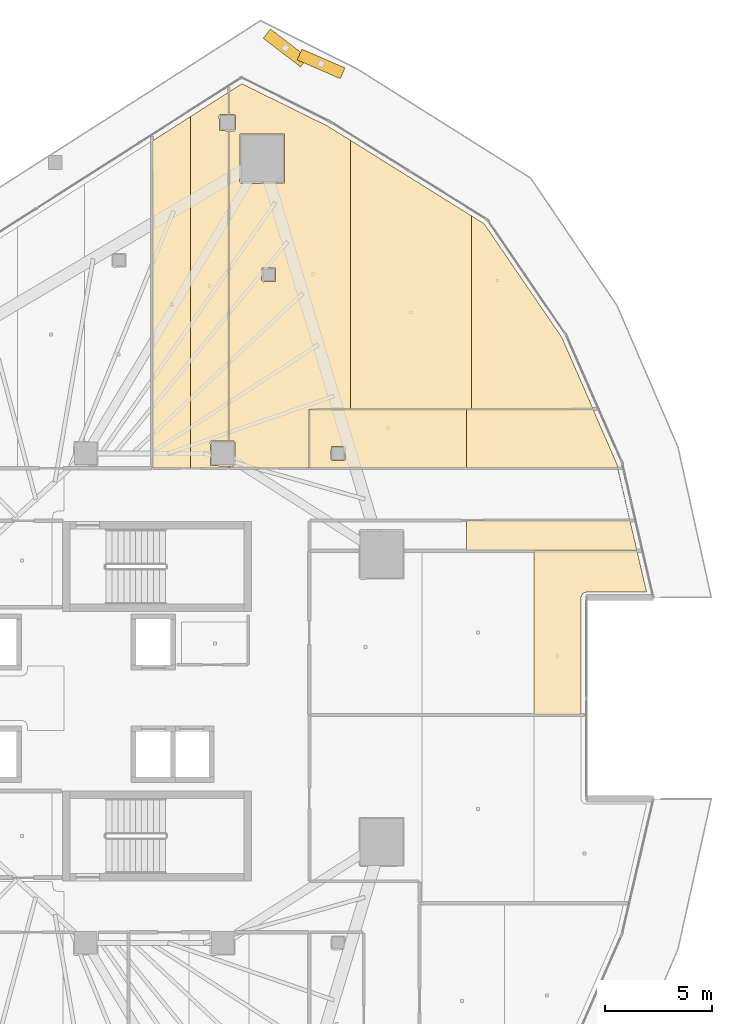
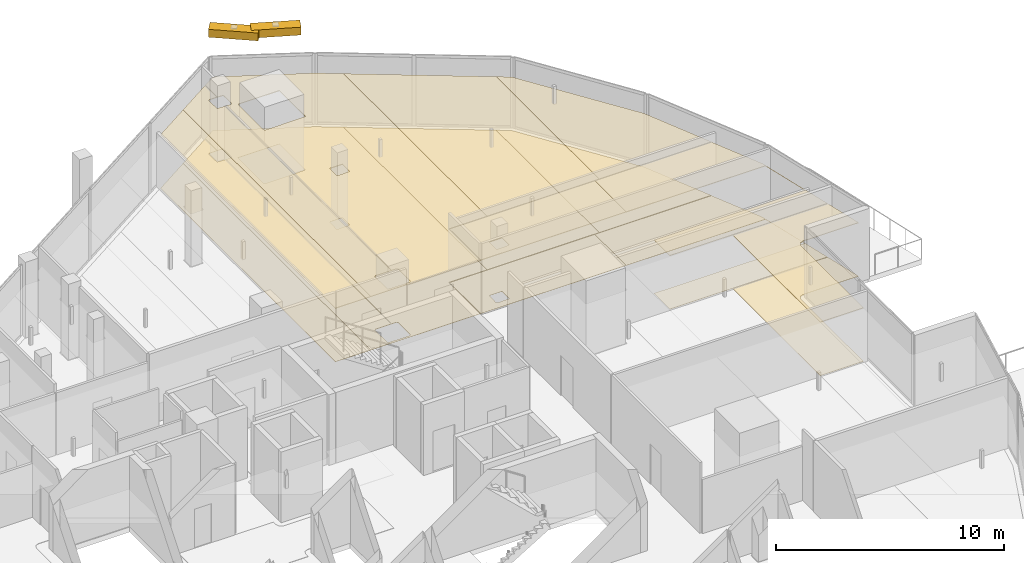
# One storey, part 35 of 35: 16 coverings, 2 shading devices.
"""IFC4 building model written with IfcOpenShell, lengths in metres."""

import ifcopenshell
import ifcopenshell.guid

model = None  # the IFC model being written
_history = None  # IfcOwnerHistory: only IFC2X3 demands one
_inside = {}  # id of a spatial element -> (the spatial element, [elements in it])
_under = {}  # id of a project, library or spatial element -> (it, [spatial elements below it])
_declared = {}  # id of a project -> (the project, [libraries it declares])
_typed = {}  # id of a type object -> (the type object, [elements of that type])
_made_of = {}  # id of a material, layer set ... -> (it, [elements and type objects made of it])


def new_model(schema):
    """Start an empty IFC model of exactly this schema.

    Asked for "IFC4X3", IfcOpenShell would pick the latest addendum, in which some entities
    have other attributes; the version numbers below select the first issue.
    IFC2X3 requires an IfcOwnerHistory on every rooted entity: one is made here for all.
    """
    global model, _history
    if schema == "IFC4X3":
        model = ifcopenshell.file(schema_version=(4, 3, 0, 0))
    else:
        model = ifcopenshell.file(schema=schema)
    _inside.clear()
    _under.clear()
    _declared.clear()
    _typed.clear()
    _made_of.clear()
    _history = None
    if model.schema == "IFC2X3":
        org = make("IfcOrganization", Name="unknown")
        user = make(
            "IfcPersonAndOrganization",
            ThePerson=make("IfcPerson", FamilyName="unknown"),
            TheOrganization=org,
        )
        app = make(
            "IfcApplication",
            ApplicationDeveloper=org,
            Version="unknown",
            ApplicationFullName="unknown",
            ApplicationIdentifier="unknown",
        )
        _history = make(
            "IfcOwnerHistory",
            OwningUser=user,
            OwningApplication=app,
            ChangeAction="ADDED",
            CreationDate=0,
        )
    return model


def make(cls, **values):
    """One entity of the class cls with the attributes given. An attribute that is None is left unset."""
    return model.create_entity(
        cls, **{name: value for name, value in values.items() if value is not None}
    )


def rooted(cls, **values):
    """An entity with a GlobalId (a new one), such as an element, a storey or a relation."""
    return make(cls, GlobalId=ifcopenshell.guid.new(), OwnerHistory=_history, **values)


def si_unit(unit_type, name, prefix=None):
    """IfcSIUnit, for example si_unit("LENGTHUNIT", "METRE", prefix="MILLI")."""
    return make("IfcSIUnit", UnitType=unit_type, Prefix=prefix, Name=name)


def assignment(units):
    """IfcUnitAssignment: the units of a project."""
    return None if units is None else make("IfcUnitAssignment", Units=units)


def point(xyz):
    """IfcCartesianPoint."""
    return None if xyz is None else make("IfcCartesianPoint", Coordinates=xyz)


def direction(xyz):
    """IfcDirection."""
    return None if xyz is None else make("IfcDirection", DirectionRatios=xyz)


def frame(location, z_axis=None, x_axis=None):
    """IfcAxis2Placement3D, a coordinate frame: its origin and axes. An axis left out is left unset."""
    return make(
        "IfcAxis2Placement3D",
        Location=point(location),
        Axis=direction(z_axis),
        RefDirection=direction(x_axis),
    )


def frame_2d(location, x_axis=None):
    """IfcAxis2Placement2D, a coordinate frame in the plane: its origin and x axis."""
    return make(
        "IfcAxis2Placement2D", Location=point(location), RefDirection=direction(x_axis)
    )


def origin():
    """The frame at (0, 0, 0) with its axes left unset."""
    return frame((0.0, 0.0, 0.0))


def origin_2d():
    """The frame at (0, 0) in the plane with its x axis left unset."""
    return frame_2d((0.0, 0.0))


def place(relative_to, where):
    """IfcLocalPlacement: puts the frame where relative to a parent placement (None: the world)."""
    return make(
        "IfcLocalPlacement", PlacementRelTo=relative_to, RelativePlacement=where
    )


def context(
    kind, dimensions, precision=None, world=None, true_north=None, identifier=None
):
    """IfcGeometricRepresentationContext, for example the 3D "Model" context."""
    return make(
        "IfcGeometricRepresentationContext",
        ContextIdentifier=identifier,
        ContextType=kind,
        CoordinateSpaceDimension=dimensions,
        Precision=precision,
        WorldCoordinateSystem=world,
        TrueNorth=true_north,
    )


def subcontext(parent, identifier, kind, view, scale=None):
    """IfcGeometricRepresentationSubContext, for example "Body" below "Model"."""
    return make(
        "IfcGeometricRepresentationSubContext",
        ContextIdentifier=identifier,
        ContextType=kind,
        ParentContext=parent,
        TargetScale=scale,
        TargetView=view,
    )


def project(units=None, contexts=None):
    """IfcProject with its units and contexts."""
    return rooted(
        "IfcProject",
        Name="project",
        RepresentationContexts=contexts,
        UnitsInContext=assignment(units),
    )


def spatial(cls, under=None, at=None, **own):
    """A site, building, storey or space (cls), placed at a placement, below another one or the project."""
    s = rooted(cls, ObjectPlacement=at, **own)
    if under is not None:
        _under.setdefault(under.id(), (under, []))[1].append(s)
    return s


def polyline(points):
    """IfcPolyline through the points."""
    return make("IfcPolyline", Points=[point(p) for p in points])


def profile(cls, at=None, kind="AREA", **sizes):
    """A parametric profile (cls). Its sizes go by their IFC names, for example OverallWidth=200.0."""
    return make(cls, ProfileType=kind, Position=at, **sizes)


def rectangle(**sizes):
    """IfcRectangleProfileDef."""
    return profile("IfcRectangleProfileDef", **sizes)


def outline(outer, holes=None, kind="AREA"):
    """IfcArbitraryClosedProfileDef: a profile drawn as a closed curve; with holes, ...WithVoids."""
    if holes is None:
        return make("IfcArbitraryClosedProfileDef", ProfileType=kind, OuterCurve=outer)
    return make(
        "IfcArbitraryProfileDefWithVoids",
        ProfileType=kind,
        OuterCurve=outer,
        InnerCurves=holes,
    )


def extrude(swept, where, along, depth):
    """IfcExtrudedAreaSolid: the profile swept, set in the frame where, extruded along a direction by depth."""
    return make(
        "IfcExtrudedAreaSolid",
        SweptArea=swept,
        Position=where,
        ExtrudedDirection=direction(along),
        Depth=depth,
    )


def shape(context_of_items, identifier, shape_type, items):
    """IfcShapeRepresentation: the items that make up one representation, for example the "Body"."""
    return make(
        "IfcShapeRepresentation",
        ContextOfItems=context_of_items,
        RepresentationIdentifier=identifier,
        RepresentationType=shape_type,
        Items=items,
    )


def material(Name=None, Category=None):
    """IfcMaterial."""
    return make("IfcMaterial", Name=Name, Category=Category)


def layer(
    of_material, thickness, ventilated=None, Name=None, Category=None, Priority=None
):
    """IfcMaterialLayer: one layer of a wall or slab, of a material (None: an air gap)."""
    return make(
        "IfcMaterialLayer",
        Material=of_material,
        LayerThickness=thickness,
        IsVentilated=ventilated,
        Name=Name,
        Category=Category,
        Priority=Priority,
    )


def layer_set(layers, Name=None):
    """IfcMaterialLayerSet."""
    return make("IfcMaterialLayerSet", MaterialLayers=layers, LayerSetName=Name)


def made_of(thing, what):
    """Note that an element or type object is made of a material, layer set ...; save() writes the relation."""
    if what is not None:
        _made_of.setdefault(what.id(), (what, []))[1].append(thing)
    return thing


def type_object(cls, material=None, **own):
    """A type object (cls), such as IfcWallType, which elements share."""
    return made_of(rooted(cls, **own), material)


def element(
    cls,
    number,
    at=None,
    inside=None,
    cuts=None,
    type_object=None,
    material=None,
    context=None,
    identifier="Body",
    shape_type=None,
    held_by="IfcProductDefinitionShape",
    body=None,
    shapes=None,
    **own,
):
    """One element of the class cls, such as IfcWall. Its Tag is "e" and its number.

    at: its placement. inside: the storey or other place that contains it. cuts: it is an
    opening in that element (IfcRelVoidsElement). A single representation is given by context,
    identifier, shape_type and body (its items); several are given by shapes. held_by: the class
    of the entity that holds the representations. save() writes the other relations.
    """
    e = rooted(cls, Tag="e%d" % number, ObjectPlacement=at, **own)
    if body is not None:
        shapes = [shape(context, identifier, shape_type, body)]
    if shapes is not None:
        e.Representation = make(held_by, Representations=shapes)
    if inside is not None:
        _inside.setdefault(inside.id(), (inside, []))[1].append(e)
    if cuts is not None:
        rooted(
            "IfcRelVoidsElement", RelatingBuildingElement=cuts, RelatedOpeningElement=e
        )
    if type_object is not None:
        _typed.setdefault(type_object.id(), (type_object, []))[1].append(e)
    return made_of(e, material)


def aggregate(whole, parts):
    """IfcRelAggregates: a whole, such as a stair, and the parts it consists of."""
    return rooted("IfcRelAggregates", RelatingObject=whole, RelatedObjects=parts)


def save(model, path):
    """Write the relations noted so far, then the file.

    IfcRelAggregates (storeys below a building ...), IfcRelContainedInSpatialStructure (elements
    in a storey), IfcRelDefinesByType, IfcRelAssociatesMaterial and IfcRelDeclares: one each for
    every whole, place, type object, material and project.
    """
    for whole, parts in _under.values():
        aggregate(whole, parts)
    for where, things in _inside.values():
        rooted(
            "IfcRelContainedInSpatialStructure",
            RelatedElements=things,
            RelatingStructure=where,
        )
    for kind, things in _typed.values():
        rooted("IfcRelDefinesByType", RelatedObjects=things, RelatingType=kind)
    for what, things in _made_of.values():
        rooted("IfcRelAssociatesMaterial", RelatedObjects=things, RelatingMaterial=what)
    for by, libraries in _declared.values():
        rooted("IfcRelDeclares", RelatingContext=by, RelatedDefinitions=libraries)
    model.write(path)


model = new_model("IFC4")

# Units and contexts
model_context = context("Model", 3, precision=1e-05, world=origin(), true_north=direction((0.0, 1.0)))
body_context = subcontext(model_context, "Body", "Model", "MODEL_VIEW")
ifc_project = project(units=[si_unit("LENGTHUNIT", "METRE"), si_unit("AREAUNIT", "SQUARE_METRE"), si_unit("VOLUMEUNIT", "CUBIC_METRE"), si_unit("PLANEANGLEUNIT", "RADIAN"), si_unit("MASSUNIT", "GRAM", prefix="KILO")], contexts=[model_context])

# Site, building, storey
site_placement = place(None, origin())
site = spatial("IfcSite", under=ifc_project, at=site_placement, CompositionType="ELEMENT")
building_placement = place(site_placement, origin())
building = spatial("IfcBuilding", under=site, at=building_placement, Name="Qorvath Tower", CompositionType="ELEMENT")
storey_placement = place(building_placement, frame((0.0, 0.0, 166.5)))
storey = spatial("IfcBuildingStorey", under=building, at=storey_placement, Name="L38", CompositionType="ELEMENT", Elevation=166.5)

# Coverings
ifc_material_1 = material(Name="Acoustic mineral fibre ceiling tile", Category="gypsum")
ifc_layer_1 = layer(ifc_material_1, 0.030029296875)
ifc_layer_set_1 = layer_set([ifc_layer_1], Name="COV-CEIL")
covering_type_1 = type_object("IfcCoveringType", Name="COV-CEIL", PredefinedType="CEILING", material=ifc_layer_set_1)
covering_1_placement = place(storey_placement, frame((0.0, 0.0, 2.85009765625)))
element("IfcCovering", 1, at=covering_1_placement, inside=storey, type_object=covering_type_1, Name="L38 Suspended Acoustic Ceiling 016", PredefinedType="CEILING", context=body_context, shape_type="SweptSolid", body=[
    extrude(outline(polyline([(-18.697509765625, 10.762939453125), (-18.697509765625, 27.220947265625), (-20.494873046875, 26.072021484375), (-20.486328125, 10.762939453125), (-18.697509765625, 10.762939453125)])), origin(), (0.0, 0.0, 1.0), 0.030029296875),
])
covering_2_placement = place(storey_placement, frame((0.0, 0.0, 2.85009765625)))
element("IfcCovering", 2, at=covering_2_placement, inside=storey, type_object=covering_type_1, Name="L38 Suspended Acoustic Ceiling 017", PredefinedType="CEILING", context=body_context, shape_type="SweptSolid", body=[
    extrude(outline(polyline([(-17.72509765625, 12.034912109375), (-16.923583984375, 12.034912109375), (-16.923583984375, 26.544189453125), (-17.3486328125, 26.561767578125), (-17.3662109375, 27.254150390625), (-17.30615234375, 27.314208984375), (-16.923583984375, 27.314208984375), (-16.923583984375, 28.3544921875), (-18.697509765625, 27.220947265625), (-18.697509765625, 10.762939453125), (-16.923583984375, 10.762939453125), (-16.923583984375, 10.864990234375), (-17.767333984375, 10.882568359375), (-17.784912109375, 11.97509765625), (-17.72509765625, 12.034912109375)])), origin(), (0.0, 0.0, 1.0), 0.030029296875),
])
covering_3_placement = place(storey_placement, frame((0.0, 0.0, 2.85009765625)))
element("IfcCovering", 3, at=covering_3_placement, inside=storey, type_object=covering_type_1, Name="L38 Suspended Acoustic Ceiling 018", PredefinedType="CEILING", context=body_context, shape_type="SweptSolid", body=[
    extrude(outline(polyline([(-13.153564453125, 13.518310546875), (-11.2265625, 13.5205078125), (-11.2265625, 26.103759765625), (-12.285400390625, 26.764404296875), (-16.30322265625, 28.7509765625), (-16.90576171875, 28.365966796875), (-16.90576171875, 27.314208984375), (-16.61376953125, 27.296630859375), (-16.59619140625, 26.604248046875), (-16.65625, 26.544189453125), (-16.90576171875, 26.544189453125), (-16.90576171875, 12.034912109375), (-16.675048828125, 12.034912109375), (-16.614990234375, 11.97509765625), (-16.614990234375, 10.925048828125), (-16.675048828125, 10.864990234375), (-16.90576171875, 10.864990234375), (-16.90576171875, 10.762939453125), (-13.155029296875, 10.762939453125), (-13.153564453125, 13.518310546875)]), holes=[polyline([(-16.404296875, 24.14599609375), (-16.38671875, 26.388427734375), (-14.3017578125, 26.388427734375), (-14.3017578125, 24.103759765625), (-16.34423828125, 24.086181640625), (-16.404296875, 24.14599609375)]), polyline([(-15.381103515625, 19.543212890625), (-15.363525390625, 20.135498046875), (-14.728759765625, 20.135498046875), (-14.728759765625, 19.500732421875), (-15.321044921875, 19.483154296875), (-15.381103515625, 19.543212890625)])]), origin(), (0.0, 0.0, 1.0), 0.030029296875),
])
covering_4_placement = place(storey_placement, frame((0.0, 0.0, 2.85009765625)))
element("IfcCovering", 4, at=covering_4_placement, inside=storey, type_object=covering_type_1, Name="L38 Suspended Acoustic Ceiling 019", PredefinedType="CEILING", context=body_context, shape_type="SweptSolid", body=[
    extrude(outline(polyline([(-11.2265625, 26.103759765625), (-11.2265625, 13.5205078125), (-5.547607421875, 13.5263671875), (-5.547607421875, 22.560302734375), (-11.2265625, 26.103759765625)])), origin(), (0.0, 0.0, 1.0), 0.030029296875),
])
covering_5_placement = place(storey_placement, frame((0.0, 0.0, 2.85009765625)))
element("IfcCovering", 5, at=covering_5_placement, inside=storey, type_object=covering_type_1, Name="L38 Suspended Acoustic Ceiling 020", PredefinedType="CEILING", context=body_context, shape_type="SweptSolid", body=[
    extrude(outline(polyline([(-5.547607421875, 22.560302734375), (-5.547607421875, 13.5263671875), (0.13134765625, 13.532470703125), (-1.3349609375, 16.886474609375), (-4.9658203125, 22.197265625), (-5.547607421875, 22.560302734375)])), origin(), (0.0, 0.0, 1.0), 0.030029296875),
])
covering_6_placement = place(storey_placement, frame((0.0, 0.0, 2.85009765625)))
element("IfcCovering", 6, at=covering_6_placement, inside=storey, type_object=covering_type_1, Name="L38 Suspended Acoustic Ceiling 038", PredefinedType="CEILING", context=body_context, shape_type="SweptSolid", body=[
    extrude(outline(polyline([(-0.362548828125, 4.89013671875), (-0.183837890625, 4.9638671875), (2.634521484375, 4.9638671875), (2.185546875, 6.900146484375), (-2.62255859375, 6.900146484375), (-2.62255859375, -0.77587890625), (-0.438720703125, -0.77587890625), (-0.438720703125, 4.708740234375), (-0.362548828125, 4.89013671875)])), origin(), (0.0, 0.0, 1.0), 0.030029296875),
])
covering_7_placement = place(storey_placement, frame((0.0, 0.0, 2.85009765625)))
element("IfcCovering", 7, at=covering_7_placement, inside=storey, type_object=covering_type_1, Name="L38 Suspended Acoustic Ceiling 039", PredefinedType="CEILING", context=body_context, shape_type="SweptSolid", body=[
    extrude(outline(polyline([(-5.782470703125, 10.762939453125), (-5.782470703125, 13.5087890625), (-13.136962890625, 13.501953125), (-13.136962890625, 10.762939453125), (-5.782470703125, 10.762939453125)]), holes=[polyline([(-12.135009765625, 11.175048828125), (-12.117431640625, 11.767333984375), (-11.482666015625, 11.767333984375), (-11.482666015625, 11.132568359375), (-12.074951171875, 11.114990234375), (-12.135009765625, 11.175048828125)])]), origin(), (0.0, 0.0, 1.0), 0.030029296875),
])
covering_8_placement = place(storey_placement, frame((0.0, 0.0, 2.85009765625)))
element("IfcCovering", 8, at=covering_8_placement, inside=storey, type_object=covering_type_1, Name="L38 Suspended Acoustic Ceiling 041", PredefinedType="CEILING", context=body_context, shape_type="SweptSolid", body=[
    extrude(outline(polyline([(-5.782470703125, 8.31005859375), (-5.782470703125, 6.918212890625), (2.181396484375, 6.918212890625), (1.243408203125, 10.964599609375), (0.1240234375, 13.514404296875), (-5.782470703125, 13.5087890625), (-5.782470703125, 10.762939453125), (1.27392578125, 10.762939453125), (1.845703125, 8.313232421875), (-5.782470703125, 8.31005859375)])), origin(), (0.0, 0.0, 1.0), 0.030029296875),
])
ifc_material_2 = material(Name="Low-VOC modular carpet tile", Category="textile")
ifc_layer_2 = layer(ifc_material_2, 0.014892578125)
ifc_layer_set_2 = layer_set([ifc_layer_2], Name="COV-FLOOR-CPT")
covering_type_2 = type_object("IfcCoveringType", Name="COV-FLOOR-CPT", PredefinedType="FLOORING", material=ifc_layer_set_2)
covering_9_placement = place(storey_placement, origin())
element("IfcCovering", 9, at=covering_9_placement, inside=storey, type_object=covering_type_2, Name="L38 Floor Finish 016", PredefinedType="FLOORING", context=body_context, shape_type="SweptSolid", body=[
    extrude(outline(polyline([(-18.697509765625, 10.762939453125), (-18.697509765625, 27.220947265625), (-20.494873046875, 26.072021484375), (-20.486328125, 10.762939453125), (-18.697509765625, 10.762939453125)])), origin(), (0.0, 0.0, 1.0), 0.014892578125),
])
covering_10_placement = place(storey_placement, origin())
element("IfcCovering", 10, at=covering_10_placement, inside=storey, type_object=covering_type_2, Name="L38 Floor Finish 017", PredefinedType="FLOORING", context=body_context, shape_type="SweptSolid", body=[
    extrude(outline(polyline([(-17.72509765625, 12.034912109375), (-16.923583984375, 12.034912109375), (-16.923583984375, 26.544189453125), (-17.3486328125, 26.561767578125), (-17.3662109375, 27.254150390625), (-17.30615234375, 27.314208984375), (-16.923583984375, 27.314208984375), (-16.923583984375, 28.3544921875), (-18.697509765625, 27.220947265625), (-18.697509765625, 10.762939453125), (-16.923583984375, 10.762939453125), (-16.923583984375, 10.864990234375), (-17.767333984375, 10.882568359375), (-17.784912109375, 11.97509765625), (-17.72509765625, 12.034912109375)])), origin(), (0.0, 0.0, 1.0), 0.014892578125),
])
covering_11_placement = place(storey_placement, origin())
element("IfcCovering", 11, at=covering_11_placement, inside=storey, type_object=covering_type_2, Name="L38 Floor Finish 018", PredefinedType="FLOORING", context=body_context, shape_type="SweptSolid", body=[
    extrude(outline(polyline([(-13.153564453125, 13.518310546875), (-11.2265625, 13.5205078125), (-11.2265625, 26.103759765625), (-12.285400390625, 26.764404296875), (-16.30322265625, 28.7509765625), (-16.90576171875, 28.365966796875), (-16.90576171875, 27.314208984375), (-16.61376953125, 27.296630859375), (-16.59619140625, 26.604248046875), (-16.65625, 26.544189453125), (-16.90576171875, 26.544189453125), (-16.90576171875, 12.034912109375), (-16.675048828125, 12.034912109375), (-16.614990234375, 11.97509765625), (-16.614990234375, 10.925048828125), (-16.675048828125, 10.864990234375), (-16.90576171875, 10.864990234375), (-16.90576171875, 10.762939453125), (-13.155029296875, 10.762939453125), (-13.153564453125, 13.518310546875)]), holes=[polyline([(-16.404296875, 24.14599609375), (-16.38671875, 26.388427734375), (-14.3017578125, 26.388427734375), (-14.3017578125, 24.103759765625), (-16.34423828125, 24.086181640625), (-16.404296875, 24.14599609375)]), polyline([(-15.381103515625, 19.543212890625), (-15.363525390625, 20.135498046875), (-14.728759765625, 20.135498046875), (-14.728759765625, 19.500732421875), (-15.321044921875, 19.483154296875), (-15.381103515625, 19.543212890625)])]), origin(), (0.0, 0.0, 1.0), 0.014892578125),
])
covering_12_placement = place(storey_placement, origin())
element("IfcCovering", 12, at=covering_12_placement, inside=storey, type_object=covering_type_2, Name="L38 Floor Finish 019", PredefinedType="FLOORING", context=body_context, shape_type="SweptSolid", body=[
    extrude(outline(polyline([(-11.2265625, 26.103759765625), (-11.2265625, 13.5205078125), (-5.547607421875, 13.5263671875), (-5.547607421875, 22.560302734375), (-11.2265625, 26.103759765625)])), origin(), (0.0, 0.0, 1.0), 0.014892578125),
])
covering_13_placement = place(storey_placement, origin())
element("IfcCovering", 13, at=covering_13_placement, inside=storey, type_object=covering_type_2, Name="L38 Floor Finish 020", PredefinedType="FLOORING", context=body_context, shape_type="SweptSolid", body=[
    extrude(outline(polyline([(-5.547607421875, 22.560302734375), (-5.547607421875, 13.5263671875), (0.13134765625, 13.532470703125), (-1.3349609375, 16.886474609375), (-4.9658203125, 22.197265625), (-5.547607421875, 22.560302734375)])), origin(), (0.0, 0.0, 1.0), 0.014892578125),
])
covering_14_placement = place(storey_placement, origin())
element("IfcCovering", 14, at=covering_14_placement, inside=storey, type_object=covering_type_2, Name="L38 Floor Finish 038", PredefinedType="FLOORING", context=body_context, shape_type="SweptSolid", body=[
    extrude(outline(polyline([(-0.362548828125, 4.89013671875), (-0.183837890625, 4.9638671875), (2.634521484375, 4.9638671875), (2.185546875, 6.900146484375), (-2.62255859375, 6.900146484375), (-2.62255859375, -0.77587890625), (-0.438720703125, -0.77587890625), (-0.438720703125, 4.708740234375), (-0.362548828125, 4.89013671875)])), origin(), (0.0, 0.0, 1.0), 0.014892578125),
])
covering_15_placement = place(storey_placement, origin())
element("IfcCovering", 15, at=covering_15_placement, inside=storey, type_object=covering_type_2, Name="L38 Floor Finish 039", PredefinedType="FLOORING", context=body_context, shape_type="SweptSolid", body=[
    extrude(outline(polyline([(-5.782470703125, 10.762939453125), (-5.782470703125, 13.5087890625), (-13.136962890625, 13.501953125), (-13.136962890625, 10.762939453125), (-5.782470703125, 10.762939453125)]), holes=[polyline([(-12.135009765625, 11.175048828125), (-12.117431640625, 11.767333984375), (-11.482666015625, 11.767333984375), (-11.482666015625, 11.132568359375), (-12.074951171875, 11.114990234375), (-12.135009765625, 11.175048828125)])]), origin(), (0.0, 0.0, 1.0), 0.014892578125),
])
covering_16_placement = place(storey_placement, origin())
element("IfcCovering", 16, at=covering_16_placement, inside=storey, type_object=covering_type_2, Name="L38 Floor Finish 041", PredefinedType="FLOORING", context=body_context, shape_type="SweptSolid", body=[
    extrude(outline(polyline([(-5.782470703125, 8.31005859375), (-5.782470703125, 6.918212890625), (2.181396484375, 6.918212890625), (1.243408203125, 10.964599609375), (0.1240234375, 13.514404296875), (-5.782470703125, 13.5087890625), (-5.782470703125, 10.762939453125), (1.27392578125, 10.762939453125), (1.845703125, 8.313232421875), (-5.782470703125, 8.31005859375)])), origin(), (0.0, 0.0, 1.0), 0.014892578125),
])

# Shading devices
ifc_material_3 = material(Name="Anodised bronze-champagne aluminium", Category="aluminium")
shading_device_type = type_object("IfcShadingDeviceType", Name="SD-LOUVRE", PredefinedType="JALOUSIE", material=ifc_material_3)
for number, where, z_axis, x_axis, name in (
    (17, (-12.595458984375, 29.677978515625, 3.360107421875), (0.0, 0.0, 1.0), (-0.917255525592, 0.39829926032, 0.0), "Sinusoidal Wave Louvre Blade L38-05"),
    (18, (-14.260986328125, 30.42431640625, 3.360107421875), (0.0, 0.0, 1.0), (-0.793529680187, 0.608531549439, 0.0), "Sinusoidal Wave Louvre Blade L38-06"),
):
    element("IfcShadingDevice", number, at=place(storey_placement, frame(where, z_axis=z_axis, x_axis=x_axis)), inside=storey, type_object=shading_device_type, Name=name, PredefinedType="NOTDEFINED", context=body_context, shape_type="SweptSolid", body=[
        extrude(rectangle(XDim=2.199951171875, YDim=0.550048828125, at=origin_2d()), origin(), (0.0, 0.0, 1.0), 0.419921875),
    ])

save(model, "model.ifc")
